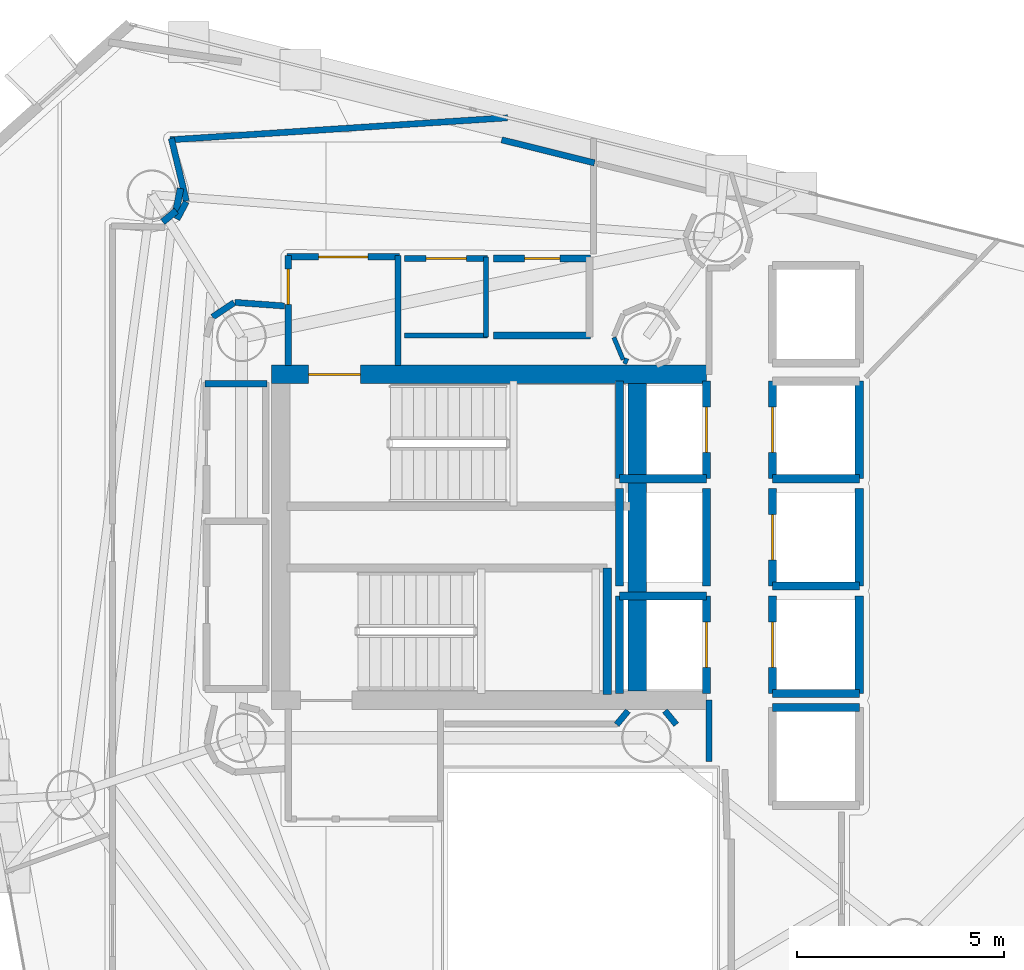
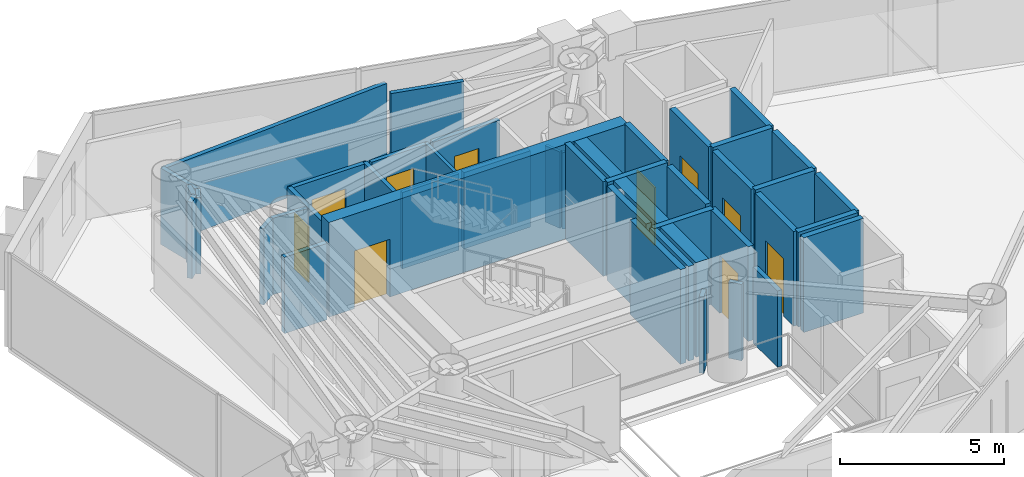
# One storey, part 20 of 23: 43 walls, 10 doors, 10 openings.
"""IFC4 building model written with IfcOpenShell, lengths in metres."""

from ifc_helpers import new_model, si_unit, direction, frame, frame_2d, origin, place, context, subcontext, project, spatial, rectangle, extrude, material, layer, layer_set, type_object, element, fill, save


model = new_model("IFC4")

# Units and contexts
model_context = context("Model", 3, precision=1e-05, world=origin(), true_north=direction((0.0, 1.0)))
body_context = subcontext(model_context, "Body", "Model", "MODEL_VIEW")
ifc_project = project(units=[si_unit("LENGTHUNIT", "METRE"), si_unit("AREAUNIT", "SQUARE_METRE"), si_unit("VOLUMEUNIT", "CUBIC_METRE"), si_unit("PLANEANGLEUNIT", "RADIAN"), si_unit("MASSUNIT", "GRAM", prefix="KILO")], contexts=[model_context])

# Site, building, storey
site_placement = place(None, origin())
site = spatial("IfcSite", under=ifc_project, at=site_placement, CompositionType="ELEMENT")
building_placement = place(site_placement, origin())
building = spatial("IfcBuilding", under=site, at=building_placement, Name="Qianvela Tower", CompositionType="ELEMENT")
storey_placement = place(building_placement, frame((0.0, 0.0, 192.89990234375)))
storey = spatial("IfcBuildingStorey", under=building, at=storey_placement, Name="L49", CompositionType="ELEMENT", Elevation=192.89990234375)

# Wall, opening, door
ifc_material_1 = material(Name="Concrete C50", Category="concrete")
ifc_layer_1 = layer(ifc_material_1, 0.449951171875)
ifc_layer_set_1 = layer_set([ifc_layer_1], Name="Concrete C50")
wall_type_1 = type_object("IfcWallType", Name="WT-CORE-450", PredefinedType="SHEAR", material=ifc_layer_set_1)
wall_1_placement = place(storey_placement, frame((29.330078125, 32.64501953125, 0.0), z_axis=(0.0, 0.0, 1.0), x_axis=(1.0, 0.0, 0.0)))
wall_1 = element("IfcWall", 1, at=wall_1_placement, inside=storey, type_object=wall_type_1, Name="L49 North Core Shear Wall", PredefinedType="SHEAR", context=body_context, shape_type="SweptSolid", body=[
    extrude(rectangle(XDim=10.52001953125, YDim=0.449951171875, at=frame_2d((5.260009765625, 0.0))), origin(), (0.0, 0.0, 1.0), 3.52001953125),
])
opening_1_placement = place(wall_1_placement, frame((0.89501953125, 0.0, 0.0)))
opening_1 = element("IfcOpeningElement", 2, at=opening_1_placement, cuts=wall_1, Name="Opening D-ST1", PredefinedType="OPENING", context=body_context, shape_type="SweptSolid", body=[
    extrude(rectangle(XDim=1.25, YDim=2.14990234375, at=frame_2d((0.625, 1.074951171875))), frame((0.0, 0.23486328125, 0.0), z_axis=(0.0, -1.0, 0.0), x_axis=(1.0, 0.0, 0.0)), (0.0, 0.0, 1.0), 0.469970703125),
])
ifc_material_2 = material(Name="Galvanised Fire Steel Q355B", Category="steel")
door_type_1 = type_object("IfcDoorType", Name="DT-STAIR-FD90", OperationType="NOTDEFINED", PredefinedType="DOOR", material=ifc_material_2)
door_1_placement = place(opening_1_placement, origin())
door_1 = element("IfcDoor", 3, at=door_1_placement, inside=storey, type_object=door_type_1, Name="L49 Stair ST-1 Exit Door", OperationType="SINGLE_SWING_RIGHT", OverallHeight=2.14990234375, OverallWidth=1.25, PredefinedType="DOOR", context=body_context, shape_type="SweptSolid", body=[
    extrude(rectangle(XDim=1.25, YDim=2.14990234375, at=frame_2d((0.625, 1.074951171875))), frame((0.0, 0.02490234375, 0.0), z_axis=(0.0, -1.0, 0.0), x_axis=(1.0, 0.0, 0.0)), (0.0, 0.0, 1.0), 0.050048828125),
])
fill(opening_1, door_1)

# Wall
wall_2_placement = place(storey_placement, frame((38.179931640625, 24.97998046875, 0.0), z_axis=(0.0, 0.0, 1.0), x_axis=(0.0, 1.0, 0.0)))
element("IfcWall", 4, at=wall_2_placement, inside=storey, type_object=wall_type_1, Name="L49 East Spine Core Shear Wall", PredefinedType="SHEAR", context=body_context, shape_type="SweptSolid", body=[
    extrude(rectangle(XDim=7.43994140625, YDim=0.449951171875, at=frame_2d((3.719970703125, 0.0))), origin(), (0.0, 0.0, 1.0), 3.52001953125),
])

# Wall, opening, door
ifc_material_3 = material(Name="Fire-Rated Acoustic Gypsum Board")
ifc_layer_2 = layer(ifc_material_3, 0.14990234375)
ifc_layer_set_2 = layer_set([ifc_layer_2], Name="Fire-Rated Acoustic Gypsum Board")
wall_type_2 = type_object("IfcWallType", Name="WT-CORR-150", PredefinedType="PARTITIONING", material=ifc_layer_set_2)
wall_3_placement = place(storey_placement, frame((29.73095703125, 32.85791015625, 0.0), z_axis=(0.0, 0.0, 1.0), x_axis=(0.0, 1.0, 0.0)))
wall_3 = element("IfcWall", 5, at=wall_3_placement, inside=storey, type_object=wall_type_2, Name="L49 Partition 2", PredefinedType="PARTITIONING", context=body_context, shape_type="SweptSolid", body=[
    extrude(rectangle(XDim=2.662109375, YDim=0.14990234375, at=frame_2d((1.3310546875, 0.0))), origin(), (0.0, 0.0, 1.0), 2.840087890625),
])
opening_2_placement = place(wall_3_placement, frame((1.478271484375, 0.0, 0.0)))
opening_2 = element("IfcOpeningElement", 6, at=opening_2_placement, cuts=wall_3, Name="Opening D-LB2", PredefinedType="OPENING", context=body_context, shape_type="SweptSolid", body=[
    extrude(rectangle(XDim=0.860107421875, YDim=2.050048828125, at=frame_2d((0.43017578125, 1.02490234375))), frame((0.0, 0.0849609375, 0.0), z_axis=(0.0, -1.0, 0.0), x_axis=(1.0, 0.0, 0.0)), (0.0, 0.0, 1.0), 0.169921875),
])
ifc_material_4 = material(Name="Insulated Steel Fire Door Q355B", Category="steel")
door_type_2 = type_object("IfcDoorType", Name="DT-LOBBY-FD90-860", OperationType="NOTDEFINED", PredefinedType="DOOR", material=ifc_material_4)
door_2_placement = place(opening_2_placement, origin())
door_2 = element("IfcDoor", 7, at=door_2_placement, inside=storey, type_object=door_type_2, Name="L49 Door L49 Firefighting Lobby North to L49 Floor Corridor", OperationType="SINGLE_SWING_LEFT", OverallHeight=2.050048828125, OverallWidth=0.860107421875, PredefinedType="DOOR", context=body_context, shape_type="SweptSolid", body=[
    extrude(rectangle(XDim=0.860107421875, YDim=2.050048828125, at=frame_2d((0.43017578125, 1.02490234375))), frame((0.0, 0.02490234375, 0.0), z_axis=(0.0, -1.0, 0.0), x_axis=(1.0, 0.0, 0.0)), (0.0, 0.0, 1.0), 0.050048828125),
])
fill(opening_2, door_2)

wall_4_placement = place(storey_placement, frame((29.699951171875, 35.489013671875, 0.0), z_axis=(0.0, 0.0, 1.0), x_axis=(1.0, 0.0, 0.0)))
wall_4 = element("IfcWall", 8, at=wall_4_placement, inside=storey, type_object=wall_type_2, Name="L49 Partition 3", PredefinedType="PARTITIONING", context=body_context, shape_type="SweptSolid", body=[
    extrude(rectangle(XDim=2.719970703125, YDim=0.14990234375, at=frame_2d((1.35986328125, 0.0))), origin(), (0.0, 0.0, 1.0), 2.840087890625),
])
opening_3_placement = place(wall_4_placement, frame((0.760009765625, 0.0, 0.0)))
opening_3 = element("IfcOpeningElement", 9, at=opening_3_placement, cuts=wall_4, Name="Opening D-LB1", PredefinedType="OPENING", context=body_context, shape_type="SweptSolid", body=[
    extrude(rectangle(XDim=1.199951171875, YDim=2.14990234375, at=frame_2d((0.60009765625, 1.074951171875))), frame((0.0, 0.0849609375, 0.0), z_axis=(0.0, -1.0, 0.0), x_axis=(1.0, 0.0, 0.0)), (0.0, 0.0, 1.0), 0.169921875),
])
ifc_material_5 = material(Name="Glazed Fire-Rated Steel Frame", Category="steel")
door_type_3 = type_object("IfcDoorType", Name="DT-LOBBY-FD90", OperationType="NOTDEFINED", PredefinedType="DOOR", material=ifc_material_5)
door_3_placement = place(opening_3_placement, origin())
door_3 = element("IfcDoor", 10, at=door_3_placement, inside=storey, type_object=door_type_3, Name="L49 Door L49 Firefighting Lobby North to L49 Floor Corridor", OperationType="SINGLE_SWING_LEFT", OverallHeight=2.14990234375, OverallWidth=1.199951171875, PredefinedType="DOOR", context=body_context, shape_type="SweptSolid", body=[
    extrude(rectangle(XDim=1.199951171875, YDim=2.14990234375, at=frame_2d((0.60009765625, 1.074951171875))), frame((0.0, 0.02490234375, 0.0), z_axis=(0.0, -1.0, 0.0), x_axis=(1.0, 0.0, 0.0)), (0.0, 0.0, 1.0), 0.050048828125),
])
fill(opening_3, door_3)

# Walls
wall_5_placement = place(storey_placement, frame((32.388916015625, 35.52001953125, 0.0), z_axis=(0.0, 0.0, 1.0), x_axis=(0.0, -1.0, 0.0)))
element("IfcWall", 11, at=wall_5_placement, inside=storey, type_object=wall_type_2, Name="L49 Partition 4", PredefinedType="PARTITIONING", context=body_context, shape_type="SweptSolid", body=[
    extrude(rectangle(XDim=2.662109375, YDim=0.14990234375, at=frame_2d((1.3310546875, 0.0))), origin(), (0.0, 0.0, 1.0), 2.840087890625),
])
wall_6_placement = place(storey_placement, frame((39.910888671875, 23.280029296875, 0.0), z_axis=(0.0, 0.0, 1.0), x_axis=(0.0, 1.0, 0.0)))
element("IfcWall", 12, at=wall_6_placement, inside=storey, type_object=wall_type_2, Name="L49 Partition 10", PredefinedType="PARTITIONING", context=body_context, shape_type="SweptSolid", body=[
    extrude(rectangle(XDim=1.47998046875, YDim=0.14990234375, at=frame_2d((0.739990234375, 0.0))), origin(), (0.0, 0.0, 1.0), 2.840087890625),
])
for number, where, z_axis, x_axis, name in (
    (13, (39.12109375, 24.169921875, 0.0), (0.0, 0.0, 1.0), (-0.638008265708, 0.770029514296, 0.0), "L49 Partition 49"),
    (14, (37.953857421875, 24.501708984375, 0.0), (0.0, 0.0, 1.0), (-0.638008265708, -0.770029514296, 0.0), "L49 Partition 52"),
):
    element("IfcWall", number, at=place(storey_placement, frame(where, z_axis=z_axis, x_axis=x_axis)), inside=storey, type_object=wall_type_2, Name=name, PredefinedType="PARTITIONING", context=body_context, shape_type="SweptSolid", body=[
        extrude(rectangle(XDim=0.430908203125, YDim=0.14990234375, at=frame_2d((0.21533203125, 0.0))), origin(), (0.0, 0.0, 1.0), 2.840087890625),
    ])
wall_7_placement = place(storey_placement, frame((27.265380859375, 36.839111328125, 0.0), z_axis=(0.0, 0.0, 1.0), x_axis=(-0.232734022169, 0.972540423286, 0.0)))
element("IfcWall", 15, at=wall_7_placement, inside=storey, type_object=wall_type_2, Name="L49 Partition 54", PredefinedType="PARTITIONING", context=body_context, shape_type="SweptSolid", body=[
    extrude(rectangle(XDim=1.56103515625, YDim=0.14990234375, at=frame_2d((0.780517578125, 0.0))), origin(), (0.0, 0.0, 1.0), 2.840087890625),
])
wall_8_placement = place(storey_placement, frame((26.871826171875, 38.319091796875, 0.0), z_axis=(0.0, 0.0, 1.0), x_axis=(0.99787015213, 0.065231583509, 0.0)))
element("IfcWall", 16, at=wall_8_placement, inside=storey, type_object=wall_type_2, Name="L49 Partition 55", PredefinedType="PARTITIONING", context=body_context, shape_type="SweptSolid", body=[
    extrude(rectangle(XDim=8.181396484375, YDim=0.14990234375, at=frame_2d((4.0908203125, 0.0))), origin(), (0.0, 0.0, 1.0), 2.840087890625),
])
wall_9_placement = place(storey_placement, frame((34.89599609375, 38.31982421875, 0.0), z_axis=(0.0, 0.0, 1.0), x_axis=(0.970501258802, -0.241096052774, 0.0)))
element("IfcWall", 17, at=wall_9_placement, inside=storey, type_object=wall_type_2, Name="L49 Partition 56", PredefinedType="PARTITIONING", context=body_context, shape_type="SweptSolid", body=[
    extrude(rectangle(XDim=2.31494140625, YDim=0.14990234375, at=frame_2d((1.157470703125, 0.0))), origin(), (0.0, 0.0, 1.0), 2.840087890625),
])
wall_10_placement = place(storey_placement, frame((29.64013671875, 34.298583984375, 0.0), z_axis=(0.0, 0.0, 1.0), x_axis=(-0.997392224386, 0.072171675429, 0.0)))
element("IfcWall", 18, at=wall_10_placement, inside=storey, type_object=wall_type_2, Name="L49 Partition 60", PredefinedType="PARTITIONING", context=body_context, shape_type="SweptSolid", body=[
    extrude(rectangle(XDim=1.200927734375, YDim=0.14990234375, at=frame_2d((0.6005859375, 0.0))), origin(), (0.0, 0.0, 1.0), 2.840087890625),
])
wall_11_placement = place(storey_placement, frame((28.4228515625, 34.3798828125, 0.0), z_axis=(0.0, 0.0, 1.0), x_axis=(-0.831571279003, -0.555418047903, 0.0)))
element("IfcWall", 19, at=wall_11_placement, inside=storey, type_object=wall_type_2, Name="L49 Partition 61", PredefinedType="PARTITIONING", context=body_context, shape_type="SweptSolid", body=[
    extrude(rectangle(XDim=0.627685546875, YDim=0.14990234375, at=frame_2d((0.31396484375, 0.0))), origin(), (0.0, 0.0, 1.0), 2.840087890625),
])
wall_12_placement = place(storey_placement, frame((27.0380859375, 36.397705078125, 0.0), z_axis=(0.0, 0.0, 1.0), x_axis=(0.471865548338, 0.881670519123, 0.0)))
element("IfcWall", 20, at=wall_12_placement, inside=storey, type_object=wall_type_2, Name="L49 Partition 79", PredefinedType="PARTITIONING", context=body_context, shape_type="SweptSolid", body=[
    extrude(rectangle(XDim=0.47607421875, YDim=0.14990234375, at=frame_2d((0.238037109375, 0.0))), origin(), (0.0, 0.0, 1.0), 2.840087890625),
])
ifc_material_6 = material(Name="Lightweight Gypsum Room Partition")
ifc_layer_3 = layer(ifc_material_6, 0.10498046875)
ifc_layer_set_3 = layer_set([ifc_layer_3], Name="Lightweight Gypsum Room Partition")
wall_type_3 = type_object("IfcWallType", Name="WT-PART-105", PredefinedType="PARTITIONING", material=ifc_layer_set_3)
wall_13_placement = place(storey_placement, frame((37.611328125, 33.5380859375, 0.0), z_axis=(0.0, 0.0, 1.0), x_axis=(0.382796622927, -0.923832639322, 0.0)))
element("IfcWall", 21, at=wall_13_placement, inside=storey, type_object=wall_type_3, Name="L49 Partition 126", PredefinedType="PARTITIONING", context=body_context, shape_type="SweptSolid", body=[
    extrude(rectangle(XDim=0.58154296875, YDim=0.10498046875, at=frame_2d((0.290771484375, 0.0))), origin(), (0.0, 0.0, 1.0), 2.840087890625),
])
ifc_material_7 = material(Name="Insulated Gypsum Stud Partition")
ifc_layer_4 = layer(ifc_material_7, 0.1201171875)
ifc_layer_set_4 = layer_set([ifc_layer_4], Name="Insulated Gypsum Stud Partition")
wall_type_4 = type_object("IfcWallType", Name="WT-PART-120", PredefinedType="PARTITIONING", material=ifc_layer_set_4)
wall_14_placement = place(storey_placement, frame((34.550048828125, 33.5810546875, 0.0), z_axis=(0.0, 0.0, 1.0), x_axis=(-1.0, 0.0, 0.0)))
element("IfcWall", 22, at=wall_14_placement, inside=storey, type_object=wall_type_4, Name="L49 Partition 20", PredefinedType="PARTITIONING", context=body_context, shape_type="SweptSolid", body=[
    extrude(rectangle(XDim=2.0, YDim=0.1201171875, at=frame_2d((1.0, 0.0))), origin(), (0.0, 0.0, 1.0), 2.840087890625),
])
wall_15_placement = place(storey_placement, frame((34.51904296875, 35.47998046875, 0.0), z_axis=(0.0, 0.0, 1.0), x_axis=(0.0, -1.0, 0.0)))
element("IfcWall", 23, at=wall_15_placement, inside=storey, type_object=wall_type_4, Name="L49 Partition 23", PredefinedType="PARTITIONING", context=body_context, shape_type="SweptSolid", body=[
    extrude(rectangle(XDim=1.929931640625, YDim=0.1201171875, at=frame_2d((0.96484375, 0.0))), origin(), (0.0, 0.0, 1.0), 2.840087890625),
])
ifc_material_8 = material(Name="Sanitary Service Chase Partition")
ifc_layer_5 = layer(ifc_material_8, 0.1650390625)
ifc_layer_set_5 = layer_set([ifc_layer_5], Name="Sanitary Service Chase Partition")
wall_type_5 = type_object("IfcWallType", Name="WT-PLUMB-165", PredefinedType="PLUMBINGWALL", material=ifc_layer_set_5)
wall_16_placement = place(storey_placement, frame((37.050048828125, 33.5810546875, 0.0), z_axis=(0.0, 0.0, 1.0), x_axis=(-1.0, 0.0, 0.0)))
element("IfcWall", 24, at=wall_16_placement, inside=storey, type_object=wall_type_5, Name="L49 Partition 24", PredefinedType="PLUMBINGWALL", context=body_context, shape_type="SweptSolid", body=[
    extrude(rectangle(XDim=2.35009765625, YDim=0.1650390625, at=frame_2d((1.175048828125, 0.0))), origin(), (0.0, 0.0, 1.0), 2.840087890625),
])

# Wall, opening, door
wall_17_placement = place(storey_placement, frame((34.699951171875, 35.448974609375, 0.0), z_axis=(0.0, 0.0, 1.0), x_axis=(1.0, 0.0, 0.0)))
wall_17 = element("IfcWall", 25, at=wall_17_placement, inside=storey, type_object=wall_type_5, Name="L49 Partition 26", PredefinedType="PLUMBINGWALL", context=body_context, shape_type="SweptSolid", body=[
    extrude(rectangle(XDim=2.35009765625, YDim=0.1650390625, at=frame_2d((1.175048828125, 0.0))), origin(), (0.0, 0.0, 1.0), 2.840087890625),
])
opening_4_placement = place(wall_17_placement, frame((0.7451171875, 0.0, 0.0)))
opening_4 = element("IfcOpeningElement", 26, at=opening_4_placement, cuts=wall_17, Name="Opening D-WC1", PredefinedType="OPENING", context=body_context, shape_type="SweptSolid", body=[
    extrude(rectangle(XDim=0.860107421875, YDim=2.050048828125, at=frame_2d((0.43017578125, 1.02490234375))), frame((0.0, 0.092529296875, 0.0), z_axis=(0.0, -1.0, 0.0), x_axis=(1.0, 0.0, 0.0)), (0.0, 0.0, 1.0), 0.18505859375),
])
ifc_material_9 = material(Name="Moisture-Sealed Acoustic Timber Door", Category="wood")
door_type_4 = type_object("IfcDoorType", Name="DT-WC-860", OperationType="NOTDEFINED", PredefinedType="DOOR", material=ifc_material_9)
door_4_placement = place(opening_4_placement, origin())
door_4 = element("IfcDoor", 27, at=door_4_placement, inside=storey, type_object=door_type_4, Name="L49 Door L49 Accessible WC to L49 Floor Corridor", OperationType="SINGLE_SWING_LEFT", OverallHeight=2.050048828125, OverallWidth=0.860107421875, PredefinedType="DOOR", context=body_context, shape_type="SweptSolid", body=[
    extrude(rectangle(XDim=0.860107421875, YDim=2.050048828125, at=frame_2d((0.43017578125, 1.02490234375))), frame((0.0, 0.02490234375, 0.0), z_axis=(0.0, -1.0, 0.0), x_axis=(1.0, 0.0, 0.0)), (0.0, 0.0, 1.0), 0.050048828125),
])
fill(opening_4, door_4)

# Walls
wall_18_placement = place(storey_placement, frame((27.719970703125, 32.4189453125, 0.0), z_axis=(0.0, 0.0, 1.0), x_axis=(1.0, 0.0, 0.0)))
element("IfcWall", 28, at=wall_18_placement, inside=storey, type_object=wall_type_5, Name="L49 Partition 33", PredefinedType="PLUMBINGWALL", context=body_context, shape_type="SweptSolid", body=[
    extrude(rectangle(XDim=1.5, YDim=0.1650390625, at=frame_2d((0.75, 0.0))), origin(), (0.0, 0.0, 1.0), 2.840087890625),
])
wall_19_placement = place(storey_placement, frame((27.124755859375, 37.146240234375, 0.0), z_axis=(0.0, 0.0, 1.0), x_axis=(-0.195051328877, -0.980793035815, 0.0)))
element("IfcWall", 29, at=wall_19_placement, inside=storey, type_object=wall_type_5, Name="L49 Partition 139", PredefinedType="PLUMBINGWALL", context=body_context, shape_type="SweptSolid", body=[
    extrude(rectangle(XDim=0.5732421875, YDim=0.1650390625, at=frame_2d((0.28662109375, 0.0))), origin(), (0.0, 0.0, 1.0), 2.840087890625),
])
wall_20_placement = place(storey_placement, frame((27.02392578125, 36.60205078125, 0.0), z_axis=(0.0, 0.0, 1.0), x_axis=(-0.775745027902, -0.631046473475, 0.0)))
element("IfcWall", 30, at=wall_20_placement, inside=storey, type_object=wall_type_5, Name="L49 Partition 140", PredefinedType="PLUMBINGWALL", context=body_context, shape_type="SweptSolid", body=[
    extrude(rectangle(XDim=0.42529296875, YDim=0.1650390625, at=frame_2d((0.212646484375, 0.0))), origin(), (0.0, 0.0, 1.0), 2.840087890625),
])

# Wall, opening, door
ifc_material_10 = material(Name="Acoustic Double Gypsum Stud Partition")
ifc_layer_6 = layer(ifc_material_10, 0.139892578125)
ifc_layer_set_6 = layer_set([ifc_layer_6], Name="Acoustic Double Gypsum Stud Partition")
wall_type_6 = type_object("IfcWallType", Name="WT-ROOM-140", PredefinedType="PARTITIONING", material=ifc_layer_set_6)
wall_21_placement = place(storey_placement, frame((32.550048828125, 35.448974609375, 0.0), z_axis=(0.0, 0.0, 1.0), x_axis=(1.0, 0.0, 0.0)))
wall_21 = element("IfcWall", 31, at=wall_21_placement, inside=storey, type_object=wall_type_6, Name="L49 Partition 22", PredefinedType="PARTITIONING", context=body_context, shape_type="SweptSolid", body=[
    extrude(rectangle(XDim=2.0, YDim=0.139892578125, at=frame_2d((1.0, 0.0))), origin(), (0.0, 0.0, 1.0), 2.840087890625),
])
opening_5_placement = place(wall_21_placement, frame((0.510009765625, 0.0, 0.0)))
opening_5 = element("IfcOpeningElement", 32, at=opening_5_placement, cuts=wall_21, Name="Opening D-RM1", PredefinedType="OPENING", context=body_context, shape_type="SweptSolid", body=[
    extrude(rectangle(XDim=0.97998046875, YDim=2.10009765625, at=frame_2d((0.489990234375, 1.050048828125))), frame((0.0, 0.079833984375, 0.0), z_axis=(0.0, -1.0, 0.0), x_axis=(1.0, 0.0, 0.0)), (0.0, 0.0, 1.0), 0.159912109375),
])
ifc_material_11 = material(Name="Solid Core Acoustic Timber Fire Door", Category="wood")
door_type_5 = type_object("IfcDoorType", Name="DT-ROOM-FD60", OperationType="NOTDEFINED", PredefinedType="DOOR", material=ifc_material_11)
door_5_placement = place(opening_5_placement, origin())
door_5 = element("IfcDoor", 33, at=door_5_placement, inside=storey, type_object=door_type_5, Name="L49 Door L49 Cleaner Store to L49 Floor Corridor", OperationType="SINGLE_SWING_RIGHT", OverallHeight=2.10009765625, OverallWidth=0.97998046875, PredefinedType="DOOR", context=body_context, shape_type="SweptSolid", body=[
    extrude(rectangle(XDim=0.97998046875, YDim=2.10009765625, at=frame_2d((0.489990234375, 1.050048828125))), frame((0.0, 0.02490234375, 0.0), z_axis=(0.0, -1.0, 0.0), x_axis=(1.0, 0.0, 0.0)), (0.0, 0.0, 1.0), 0.050048828125),
])
fill(opening_5, door_5)

# Walls
wall_22_placement = place(storey_placement, frame((37.8505859375, 32.98388671875, 0.0), z_axis=(0.0, 0.0, 1.0), x_axis=(0.924628481531, -0.380870281252, 0.0)))
element("IfcWall", 34, at=wall_22_placement, inside=storey, type_object=wall_type_6, Name="L49 Partition 127", PredefinedType="PARTITIONING", context=body_context, shape_type="SweptSolid", body=[
    extrude(rectangle(XDim=0.101806640625, YDim=0.139892578125, at=frame_2d((0.05078125, 0.0))), origin(), (0.0, 0.0, 1.0), 2.840087890625),
])
ifc_material_12 = material(Name="Concrete C50", Category="concrete")
ifc_layer_7 = layer(ifc_material_12, 0.199951171875)
ifc_layer_set_7 = layer_set([ifc_layer_7], Name="Concrete C50")
wall_type_7 = type_object("IfcWallType", Name="WT-SHAFT-200", PredefinedType="SOLIDWALL", material=ifc_layer_set_7)
wall_23_placement = place(storey_placement, frame((37.449951171875, 24.89990234375, 0.0), z_axis=(0.0, 0.0, 1.0), x_axis=(0.0, 1.0, 0.0)))
element("IfcWall", 35, at=wall_23_placement, inside=storey, type_object=wall_type_7, Name="L49 Stair ST-2 East Wall", PredefinedType="SOLIDWALL", context=body_context, shape_type="SweptSolid", body=[
    extrude(rectangle(XDim=3.06005859375, YDim=0.199951171875, at=frame_2d((1.530029296875, 0.0))), origin(), (0.0, 0.0, 1.0), 3.52001953125),
])

# Wall, opening, door
wall_24_placement = place(storey_placement, frame((39.85009765625, 30.1201171875, 0.0), z_axis=(0.0, 0.0, 1.0), x_axis=(0.0, 1.0, 0.0)))
wall_24 = element("IfcWall", 36, at=wall_24_placement, inside=storey, type_object=wall_type_7, Name="L49 Lift FL-1 E Shaft Wall", PredefinedType="SOLIDWALL", context=body_context, shape_type="SweptSolid", body=[
    extrude(rectangle(XDim=2.35986328125, YDim=0.199951171875, at=frame_2d((1.179931640625, 0.0))), origin(), (0.0, 0.0, 1.0), 3.52001953125),
])
opening_6_placement = place(wall_24_placement, frame((0.6298828125, 0.0, 0.0)))
opening_6 = element("IfcOpeningElement", 37, at=opening_6_placement, cuts=wall_24, Name="Opening LD-01", PredefinedType="OPENING", context=body_context, shape_type="SweptSolid", body=[
    extrude(rectangle(XDim=1.10009765625, YDim=2.14990234375, at=frame_2d((0.550048828125, 1.074951171875))), frame((0.0, 0.10986328125, 0.0), z_axis=(0.0, -1.0, 0.0), x_axis=(1.0, 0.0, 0.0)), (0.0, 0.0, 1.0), 0.219970703125),
])
ifc_material_13 = material(Name="Brushed Stainless Steel Lift Landing Door", Category="steel")
door_type_6 = type_object("IfcDoorType", Name="DT-LIFT-SLIDE-1100", OperationType="SLIDING_TO_LEFT", PredefinedType="DOOR", material=ifc_material_13)
door_6_placement = place(opening_6_placement, origin())
door_6 = element("IfcDoor", 38, at=door_6_placement, inside=storey, type_object=door_type_6, Name="L49 Lift FL-1 Sliding Landing Door", OperationType="SLIDING_TO_LEFT", OverallHeight=2.14990234375, OverallWidth=1.10009765625, PredefinedType="DOOR", context=body_context, shape_type="SweptSolid", body=[
    extrude(rectangle(XDim=1.10009765625, YDim=2.14990234375, at=frame_2d((0.550048828125, 1.074951171875))), frame((0.0, 0.02490234375, 0.0), z_axis=(0.0, -1.0, 0.0), x_axis=(1.0, 0.0, 0.0)), (0.0, 0.0, 1.0), 0.050048828125),
])
fill(opening_6, door_6)

# Walls
wall_25_placement = place(storey_placement, frame((37.75, 30.1201171875, 0.0), z_axis=(0.0, 0.0, 1.0), x_axis=(0.0, 1.0, 0.0)))
element("IfcWall", 39, at=wall_25_placement, inside=storey, type_object=wall_type_7, Name="L49 Lift FL-1 W Shaft Wall", PredefinedType="SOLIDWALL", context=body_context, shape_type="SweptSolid", body=[
    extrude(rectangle(XDim=2.35986328125, YDim=0.199951171875, at=frame_2d((1.179931640625, 0.0))), origin(), (0.0, 0.0, 1.0), 3.52001953125),
])
wall_26_placement = place(storey_placement, frame((37.75, 30.1201171875, 0.0), z_axis=(0.0, 0.0, 1.0), x_axis=(1.0, 0.0, 0.0)))
element("IfcWall", 40, at=wall_26_placement, inside=storey, type_object=wall_type_7, Name="L49 Lift FL-1 S Shaft Wall", PredefinedType="SOLIDWALL", context=body_context, shape_type="SweptSolid", body=[
    extrude(rectangle(XDim=2.10009765625, YDim=0.199951171875, at=frame_2d((1.050048828125, 0.0))), origin(), (0.0, 0.0, 1.0), 3.52001953125),
])

# Wall, opening, door
wall_27_placement = place(storey_placement, frame((39.85009765625, 24.919921875, 0.0), z_axis=(0.0, 0.0, 1.0), x_axis=(0.0, 1.0, 0.0)))
wall_27 = element("IfcWall", 41, at=wall_27_placement, inside=storey, type_object=wall_type_7, Name="L49 Lift FL-2 E Shaft Wall", PredefinedType="SOLIDWALL", context=body_context, shape_type="SweptSolid", body=[
    extrude(rectangle(XDim=2.360107421875, YDim=0.199951171875, at=frame_2d((1.18017578125, 0.0))), origin(), (0.0, 0.0, 1.0), 3.52001953125),
])
opening_7_placement = place(wall_27_placement, frame((0.6298828125, 0.0, 0.0)))
opening_7 = element("IfcOpeningElement", 42, at=opening_7_placement, cuts=wall_27, Name="Opening LD-01", PredefinedType="OPENING", context=body_context, shape_type="SweptSolid", body=[
    extrude(rectangle(XDim=1.10009765625, YDim=2.14990234375, at=frame_2d((0.550048828125, 1.074951171875))), frame((0.0, 0.10986328125, 0.0), z_axis=(0.0, -1.0, 0.0), x_axis=(1.0, 0.0, 0.0)), (0.0, 0.0, 1.0), 0.219970703125),
])
door_7_placement = place(opening_7_placement, origin())
door_7 = element("IfcDoor", 43, at=door_7_placement, inside=storey, type_object=door_type_6, Name="L49 Lift FL-2 Sliding Landing Door", OperationType="SLIDING_TO_LEFT", OverallHeight=2.14990234375, OverallWidth=1.10009765625, PredefinedType="DOOR", context=body_context, shape_type="SweptSolid", body=[
    extrude(rectangle(XDim=1.10009765625, YDim=2.14990234375, at=frame_2d((0.550048828125, 1.074951171875))), frame((0.0, 0.02490234375, 0.0), z_axis=(0.0, -1.0, 0.0), x_axis=(1.0, 0.0, 0.0)), (0.0, 0.0, 1.0), 0.050048828125),
])
fill(opening_7, door_7)

# Walls
wall_28_placement = place(storey_placement, frame((37.75, 24.919921875, 0.0), z_axis=(0.0, 0.0, 1.0), x_axis=(0.0, 1.0, 0.0)))
element("IfcWall", 44, at=wall_28_placement, inside=storey, type_object=wall_type_7, Name="L49 Lift FL-2 W Shaft Wall", PredefinedType="SOLIDWALL", context=body_context, shape_type="SweptSolid", body=[
    extrude(rectangle(XDim=2.360107421875, YDim=0.199951171875, at=frame_2d((1.18017578125, 0.0))), origin(), (0.0, 0.0, 1.0), 3.52001953125),
])
wall_29_placement = place(storey_placement, frame((37.75, 27.280029296875, 0.0), z_axis=(0.0, 0.0, 1.0), x_axis=(1.0, 0.0, 0.0)))
element("IfcWall", 45, at=wall_29_placement, inside=storey, type_object=wall_type_7, Name="L49 Lift FL-2 N Shaft Wall", PredefinedType="SOLIDWALL", context=body_context, shape_type="SweptSolid", body=[
    extrude(rectangle(XDim=2.10009765625, YDim=0.199951171875, at=frame_2d((1.050048828125, 0.0))), origin(), (0.0, 0.0, 1.0), 3.52001953125),
])
wall_30_placement = place(storey_placement, frame((43.550048828125, 30.1201171875, 0.0), z_axis=(0.0, 0.0, 1.0), x_axis=(0.0, 1.0, 0.0)))
element("IfcWall", 46, at=wall_30_placement, inside=storey, type_object=wall_type_7, Name="L49 Lift PL-M1 E Shaft Wall", PredefinedType="SOLIDWALL", context=body_context, shape_type="SweptSolid", body=[
    extrude(rectangle(XDim=2.35986328125, YDim=0.199951171875, at=frame_2d((1.179931640625, 0.0))), origin(), (0.0, 0.0, 1.0), 3.52001953125),
])

# Wall, opening, door
wall_31_placement = place(storey_placement, frame((41.449951171875, 30.1201171875, 0.0), z_axis=(0.0, 0.0, 1.0), x_axis=(0.0, 1.0, 0.0)))
wall_31 = element("IfcWall", 47, at=wall_31_placement, inside=storey, type_object=wall_type_7, Name="L49 Lift PL-M1 W Shaft Wall", PredefinedType="SOLIDWALL", context=body_context, shape_type="SweptSolid", body=[
    extrude(rectangle(XDim=2.35986328125, YDim=0.199951171875, at=frame_2d((1.179931640625, 0.0))), origin(), (0.0, 0.0, 1.0), 3.52001953125),
])
opening_8_placement = place(wall_31_placement, frame((0.6298828125, 0.0, 0.0)))
opening_8 = element("IfcOpeningElement", 48, at=opening_8_placement, cuts=wall_31, Name="Opening LD-01", PredefinedType="OPENING", context=body_context, shape_type="SweptSolid", body=[
    extrude(rectangle(XDim=1.10009765625, YDim=2.14990234375, at=frame_2d((0.550048828125, 1.074951171875))), frame((0.0, 0.10986328125, 0.0), z_axis=(0.0, -1.0, 0.0), x_axis=(1.0, 0.0, 0.0)), (0.0, 0.0, 1.0), 0.219970703125),
])
door_8_placement = place(opening_8_placement, origin())
door_8 = element("IfcDoor", 49, at=door_8_placement, inside=storey, type_object=door_type_6, Name="L49 Lift PL-M1 Sliding Landing Door", OperationType="SLIDING_TO_LEFT", OverallHeight=2.14990234375, OverallWidth=1.10009765625, PredefinedType="DOOR", context=body_context, shape_type="SweptSolid", body=[
    extrude(rectangle(XDim=1.10009765625, YDim=2.14990234375, at=frame_2d((0.550048828125, 1.074951171875))), frame((0.0, 0.02490234375, 0.0), z_axis=(0.0, -1.0, 0.0), x_axis=(1.0, 0.0, 0.0)), (0.0, 0.0, 1.0), 0.050048828125),
])
fill(opening_8, door_8)

# Walls
wall_32_placement = place(storey_placement, frame((41.449951171875, 30.1201171875, 0.0), z_axis=(0.0, 0.0, 1.0), x_axis=(1.0, 0.0, 0.0)))
element("IfcWall", 50, at=wall_32_placement, inside=storey, type_object=wall_type_7, Name="L49 Lift PL-M1 S Shaft Wall", PredefinedType="SOLIDWALL", context=body_context, shape_type="SweptSolid", body=[
    extrude(rectangle(XDim=2.10009765625, YDim=0.199951171875, at=frame_2d((1.050048828125, 0.0))), origin(), (0.0, 0.0, 1.0), 3.52001953125),
])
wall_33_placement = place(storey_placement, frame((43.550048828125, 27.52001953125, 0.0), z_axis=(0.0, 0.0, 1.0), x_axis=(0.0, 1.0, 0.0)))
element("IfcWall", 51, at=wall_33_placement, inside=storey, type_object=wall_type_7, Name="L49 Lift PL-M2 E Shaft Wall", PredefinedType="SOLIDWALL", context=body_context, shape_type="SweptSolid", body=[
    extrude(rectangle(XDim=2.35986328125, YDim=0.199951171875, at=frame_2d((1.179931640625, 0.0))), origin(), (0.0, 0.0, 1.0), 3.52001953125),
])

# Wall, opening, door
wall_34_placement = place(storey_placement, frame((41.449951171875, 27.52001953125, 0.0), z_axis=(0.0, 0.0, 1.0), x_axis=(0.0, 1.0, 0.0)))
wall_34 = element("IfcWall", 52, at=wall_34_placement, inside=storey, type_object=wall_type_7, Name="L49 Lift PL-M2 W Shaft Wall", PredefinedType="SOLIDWALL", context=body_context, shape_type="SweptSolid", body=[
    extrude(rectangle(XDim=2.35986328125, YDim=0.199951171875, at=frame_2d((1.179931640625, 0.0))), origin(), (0.0, 0.0, 1.0), 3.52001953125),
])
opening_9_placement = place(wall_34_placement, frame((0.6298828125, 0.0, 0.0)))
opening_9 = element("IfcOpeningElement", 53, at=opening_9_placement, cuts=wall_34, Name="Opening LD-01", PredefinedType="OPENING", context=body_context, shape_type="SweptSolid", body=[
    extrude(rectangle(XDim=1.10009765625, YDim=2.14990234375, at=frame_2d((0.550048828125, 1.074951171875))), frame((0.0, 0.10986328125, 0.0), z_axis=(0.0, -1.0, 0.0), x_axis=(1.0, 0.0, 0.0)), (0.0, 0.0, 1.0), 0.219970703125),
])
door_9_placement = place(opening_9_placement, origin())
door_9 = element("IfcDoor", 54, at=door_9_placement, inside=storey, type_object=door_type_6, Name="L49 Lift PL-M2 Sliding Landing Door", OperationType="SLIDING_TO_LEFT", OverallHeight=2.14990234375, OverallWidth=1.10009765625, PredefinedType="DOOR", context=body_context, shape_type="SweptSolid", body=[
    extrude(rectangle(XDim=1.10009765625, YDim=2.14990234375, at=frame_2d((0.550048828125, 1.074951171875))), frame((0.0, 0.02490234375, 0.0), z_axis=(0.0, -1.0, 0.0), x_axis=(1.0, 0.0, 0.0)), (0.0, 0.0, 1.0), 0.050048828125),
])
fill(opening_9, door_9)

# Walls
wall_35_placement = place(storey_placement, frame((41.449951171875, 27.52001953125, 0.0), z_axis=(0.0, 0.0, 1.0), x_axis=(1.0, 0.0, 0.0)))
element("IfcWall", 55, at=wall_35_placement, inside=storey, type_object=wall_type_7, Name="L49 Lift PL-M2 S Shaft Wall", PredefinedType="SOLIDWALL", context=body_context, shape_type="SweptSolid", body=[
    extrude(rectangle(XDim=2.10009765625, YDim=0.199951171875, at=frame_2d((1.050048828125, 0.0))), origin(), (0.0, 0.0, 1.0), 3.52001953125),
])
wall_36_placement = place(storey_placement, frame((43.550048828125, 24.919921875, 0.0), z_axis=(0.0, 0.0, 1.0), x_axis=(0.0, 1.0, 0.0)))
element("IfcWall", 56, at=wall_36_placement, inside=storey, type_object=wall_type_7, Name="L49 Lift PL-M3 E Shaft Wall", PredefinedType="SOLIDWALL", context=body_context, shape_type="SweptSolid", body=[
    extrude(rectangle(XDim=2.360107421875, YDim=0.199951171875, at=frame_2d((1.18017578125, 0.0))), origin(), (0.0, 0.0, 1.0), 3.52001953125),
])

# Wall, opening, door
wall_37_placement = place(storey_placement, frame((41.449951171875, 24.919921875, 0.0), z_axis=(0.0, 0.0, 1.0), x_axis=(0.0, 1.0, 0.0)))
wall_37 = element("IfcWall", 57, at=wall_37_placement, inside=storey, type_object=wall_type_7, Name="L49 Lift PL-M3 W Shaft Wall", PredefinedType="SOLIDWALL", context=body_context, shape_type="SweptSolid", body=[
    extrude(rectangle(XDim=2.360107421875, YDim=0.199951171875, at=frame_2d((1.18017578125, 0.0))), origin(), (0.0, 0.0, 1.0), 3.52001953125),
])
opening_10_placement = place(wall_37_placement, frame((0.6298828125, 0.0, 0.0)))
opening_10 = element("IfcOpeningElement", 58, at=opening_10_placement, cuts=wall_37, Name="Opening LD-01", PredefinedType="OPENING", context=body_context, shape_type="SweptSolid", body=[
    extrude(rectangle(XDim=1.10009765625, YDim=2.14990234375, at=frame_2d((0.550048828125, 1.074951171875))), frame((0.0, 0.10986328125, 0.0), z_axis=(0.0, -1.0, 0.0), x_axis=(1.0, 0.0, 0.0)), (0.0, 0.0, 1.0), 0.219970703125),
])
door_10_placement = place(opening_10_placement, origin())
door_10 = element("IfcDoor", 59, at=door_10_placement, inside=storey, type_object=door_type_6, Name="L49 Lift PL-M3 Sliding Landing Door", OperationType="SLIDING_TO_LEFT", OverallHeight=2.14990234375, OverallWidth=1.10009765625, PredefinedType="DOOR", context=body_context, shape_type="SweptSolid", body=[
    extrude(rectangle(XDim=1.10009765625, YDim=2.14990234375, at=frame_2d((0.550048828125, 1.074951171875))), frame((0.0, 0.02490234375, 0.0), z_axis=(0.0, -1.0, 0.0), x_axis=(1.0, 0.0, 0.0)), (0.0, 0.0, 1.0), 0.050048828125),
])
fill(opening_10, door_10)

# Walls
wall_38_placement = place(storey_placement, frame((41.449951171875, 24.919921875, 0.0), z_axis=(0.0, 0.0, 1.0), x_axis=(1.0, 0.0, 0.0)))
element("IfcWall", 60, at=wall_38_placement, inside=storey, type_object=wall_type_7, Name="L49 Lift PL-M3 S Shaft Wall", PredefinedType="SOLIDWALL", context=body_context, shape_type="SweptSolid", body=[
    extrude(rectangle(XDim=2.10009765625, YDim=0.199951171875, at=frame_2d((1.050048828125, 0.0))), origin(), (0.0, 0.0, 1.0), 3.52001953125),
])
for number, where, z_axis, x_axis, name in (
    (61, (39.85009765625, 27.52001953125, 0.0), (0.0, 0.0, 1.0), (0.0, 1.0, 0.0), "L49 Lift PL-H1 E Shaft Wall"),
    (62, (37.75, 27.52001953125, 0.0), (0.0, 0.0, 1.0), (0.0, 1.0, 0.0), "L49 Lift PL-H1 W Shaft Wall"),
):
    element("IfcWall", number, at=place(storey_placement, frame(where, z_axis=z_axis, x_axis=x_axis)), inside=storey, type_object=wall_type_7, Name=name, PredefinedType="SOLIDWALL", context=body_context, shape_type="SweptSolid", body=[
        extrude(rectangle(XDim=2.35986328125, YDim=0.199951171875, at=frame_2d((1.179931640625, 0.0))), origin(), (0.0, 0.0, 1.0), 3.52001953125),
    ])
wall_39_placement = place(storey_placement, frame((41.449951171875, 24.580078125, 0.0), z_axis=(0.0, 0.0, 1.0), x_axis=(1.0, 0.0, 0.0)))
element("IfcWall", 63, at=wall_39_placement, inside=storey, type_object=wall_type_7, Name="L49 Lift PL-H2 N Shaft Wall", PredefinedType="SOLIDWALL", context=body_context, shape_type="SweptSolid", body=[
    extrude(rectangle(XDim=2.10009765625, YDim=0.199951171875, at=frame_2d((1.050048828125, 0.0))), origin(), (0.0, 0.0, 1.0), 3.52001953125),
])

save(model, "model.ifc")
